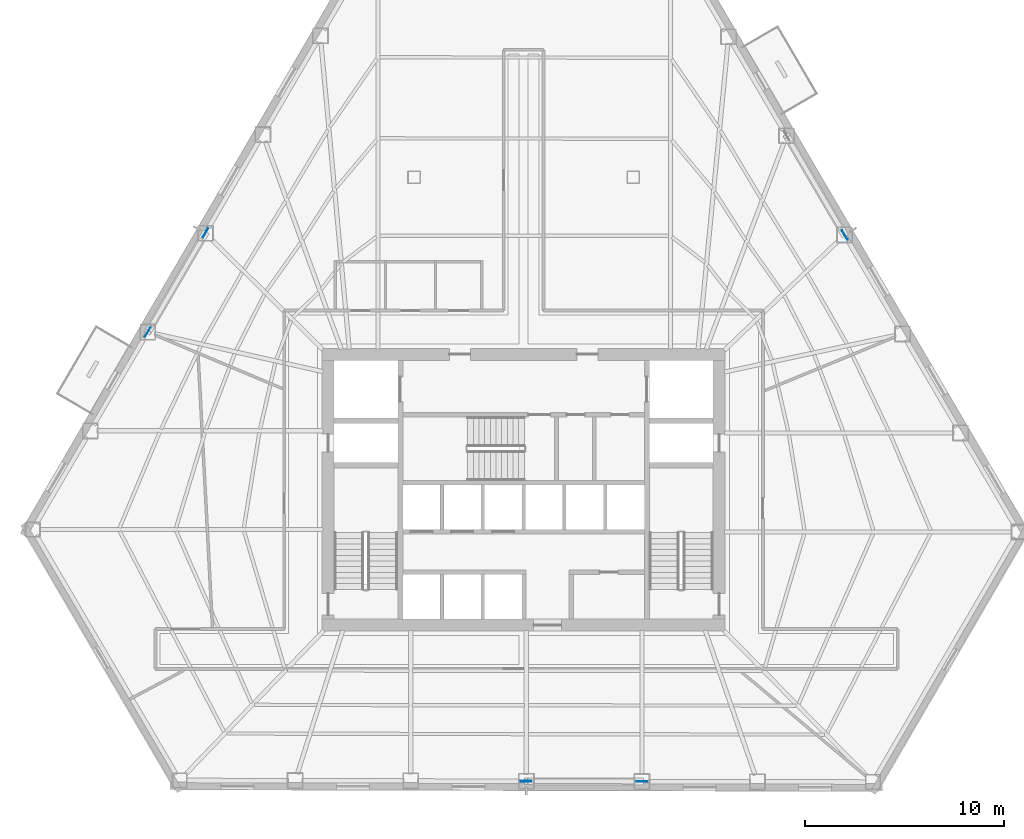
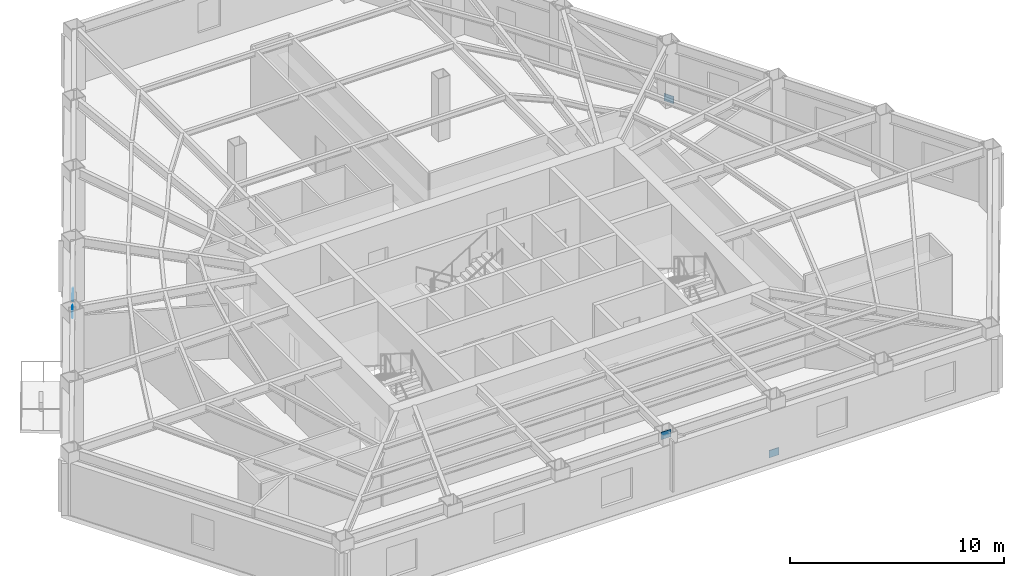
# One storey, part 4 of 11: 5 plates.
"""IFC4 building model written with IfcOpenShell, lengths in metres."""

import ifcopenshell
import ifcopenshell.guid

model = None  # the IFC model being written
_history = None  # IfcOwnerHistory: only IFC2X3 demands one
_inside = {}  # id of a spatial element -> (the spatial element, [elements in it])
_under = {}  # id of a project, library or spatial element -> (it, [spatial elements below it])
_declared = {}  # id of a project -> (the project, [libraries it declares])
_typed = {}  # id of a type object -> (the type object, [elements of that type])
_made_of = {}  # id of a material, layer set ... -> (it, [elements and type objects made of it])


def new_model(schema):
    """Start an empty IFC model of exactly this schema.

    Asked for "IFC4X3", IfcOpenShell would pick the latest addendum, in which some entities
    have other attributes; the version numbers below select the first issue.
    IFC2X3 requires an IfcOwnerHistory on every rooted entity: one is made here for all.
    """
    global model, _history
    if schema == "IFC4X3":
        model = ifcopenshell.file(schema_version=(4, 3, 0, 0))
    else:
        model = ifcopenshell.file(schema=schema)
    _inside.clear()
    _under.clear()
    _declared.clear()
    _typed.clear()
    _made_of.clear()
    _history = None
    if model.schema == "IFC2X3":
        org = make("IfcOrganization", Name="unknown")
        user = make(
            "IfcPersonAndOrganization",
            ThePerson=make("IfcPerson", FamilyName="unknown"),
            TheOrganization=org,
        )
        app = make(
            "IfcApplication",
            ApplicationDeveloper=org,
            Version="unknown",
            ApplicationFullName="unknown",
            ApplicationIdentifier="unknown",
        )
        _history = make(
            "IfcOwnerHistory",
            OwningUser=user,
            OwningApplication=app,
            ChangeAction="ADDED",
            CreationDate=0,
        )
    return model


def make(cls, **values):
    """One entity of the class cls with the attributes given. An attribute that is None is left unset."""
    return model.create_entity(
        cls, **{name: value for name, value in values.items() if value is not None}
    )


def rooted(cls, **values):
    """An entity with a GlobalId (a new one), such as an element, a storey or a relation."""
    return make(cls, GlobalId=ifcopenshell.guid.new(), OwnerHistory=_history, **values)


def si_unit(unit_type, name, prefix=None):
    """IfcSIUnit, for example si_unit("LENGTHUNIT", "METRE", prefix="MILLI")."""
    return make("IfcSIUnit", UnitType=unit_type, Prefix=prefix, Name=name)


def assignment(units):
    """IfcUnitAssignment: the units of a project."""
    return None if units is None else make("IfcUnitAssignment", Units=units)


def point(xyz):
    """IfcCartesianPoint."""
    return None if xyz is None else make("IfcCartesianPoint", Coordinates=xyz)


def direction(xyz):
    """IfcDirection."""
    return None if xyz is None else make("IfcDirection", DirectionRatios=xyz)


def frame(location, z_axis=None, x_axis=None):
    """IfcAxis2Placement3D, a coordinate frame: its origin and axes. An axis left out is left unset."""
    return make(
        "IfcAxis2Placement3D",
        Location=point(location),
        Axis=direction(z_axis),
        RefDirection=direction(x_axis),
    )


def frame_2d(location, x_axis=None):
    """IfcAxis2Placement2D, a coordinate frame in the plane: its origin and x axis."""
    return make(
        "IfcAxis2Placement2D", Location=point(location), RefDirection=direction(x_axis)
    )


def origin():
    """The frame at (0, 0, 0) with its axes left unset."""
    return frame((0.0, 0.0, 0.0))


def origin_2d():
    """The frame at (0, 0) in the plane with its x axis left unset."""
    return frame_2d((0.0, 0.0))


def place(relative_to, where):
    """IfcLocalPlacement: puts the frame where relative to a parent placement (None: the world)."""
    return make(
        "IfcLocalPlacement", PlacementRelTo=relative_to, RelativePlacement=where
    )


def context(
    kind, dimensions, precision=None, world=None, true_north=None, identifier=None
):
    """IfcGeometricRepresentationContext, for example the 3D "Model" context."""
    return make(
        "IfcGeometricRepresentationContext",
        ContextIdentifier=identifier,
        ContextType=kind,
        CoordinateSpaceDimension=dimensions,
        Precision=precision,
        WorldCoordinateSystem=world,
        TrueNorth=true_north,
    )


def subcontext(parent, identifier, kind, view, scale=None):
    """IfcGeometricRepresentationSubContext, for example "Body" below "Model"."""
    return make(
        "IfcGeometricRepresentationSubContext",
        ContextIdentifier=identifier,
        ContextType=kind,
        ParentContext=parent,
        TargetScale=scale,
        TargetView=view,
    )


def project(units=None, contexts=None):
    """IfcProject with its units and contexts."""
    return rooted(
        "IfcProject",
        Name="project",
        RepresentationContexts=contexts,
        UnitsInContext=assignment(units),
    )


def spatial(cls, under=None, at=None, **own):
    """A site, building, storey or space (cls), placed at a placement, below another one or the project."""
    s = rooted(cls, ObjectPlacement=at, **own)
    if under is not None:
        _under.setdefault(under.id(), (under, []))[1].append(s)
    return s


def profile(cls, at=None, kind="AREA", **sizes):
    """A parametric profile (cls). Its sizes go by their IFC names, for example OverallWidth=200.0."""
    return make(cls, ProfileType=kind, Position=at, **sizes)


def rectangle(**sizes):
    """IfcRectangleProfileDef."""
    return profile("IfcRectangleProfileDef", **sizes)


def extrude(swept, where, along, depth):
    """IfcExtrudedAreaSolid: the profile swept, set in the frame where, extruded along a direction by depth."""
    return make(
        "IfcExtrudedAreaSolid",
        SweptArea=swept,
        Position=where,
        ExtrudedDirection=direction(along),
        Depth=depth,
    )


def shape(context_of_items, identifier, shape_type, items):
    """IfcShapeRepresentation: the items that make up one representation, for example the "Body"."""
    return make(
        "IfcShapeRepresentation",
        ContextOfItems=context_of_items,
        RepresentationIdentifier=identifier,
        RepresentationType=shape_type,
        Items=items,
    )


def material(Name=None, Category=None):
    """IfcMaterial."""
    return make("IfcMaterial", Name=Name, Category=Category)


def layer(
    of_material, thickness, ventilated=None, Name=None, Category=None, Priority=None
):
    """IfcMaterialLayer: one layer of a wall or slab, of a material (None: an air gap)."""
    return make(
        "IfcMaterialLayer",
        Material=of_material,
        LayerThickness=thickness,
        IsVentilated=ventilated,
        Name=Name,
        Category=Category,
        Priority=Priority,
    )


def layer_set(layers, Name=None):
    """IfcMaterialLayerSet."""
    return make("IfcMaterialLayerSet", MaterialLayers=layers, LayerSetName=Name)


def made_of(thing, what):
    """Note that an element or type object is made of a material, layer set ...; save() writes the relation."""
    if what is not None:
        _made_of.setdefault(what.id(), (what, []))[1].append(thing)
    return thing


def type_object(cls, material=None, **own):
    """A type object (cls), such as IfcWallType, which elements share."""
    return made_of(rooted(cls, **own), material)


def element(
    cls,
    number,
    at=None,
    inside=None,
    cuts=None,
    type_object=None,
    material=None,
    context=None,
    identifier="Body",
    shape_type=None,
    held_by="IfcProductDefinitionShape",
    body=None,
    shapes=None,
    **own,
):
    """One element of the class cls, such as IfcWall. Its Tag is "e" and its number.

    at: its placement. inside: the storey or other place that contains it. cuts: it is an
    opening in that element (IfcRelVoidsElement). A single representation is given by context,
    identifier, shape_type and body (its items); several are given by shapes. held_by: the class
    of the entity that holds the representations. save() writes the other relations.
    """
    e = rooted(cls, Tag="e%d" % number, ObjectPlacement=at, **own)
    if body is not None:
        shapes = [shape(context, identifier, shape_type, body)]
    if shapes is not None:
        e.Representation = make(held_by, Representations=shapes)
    if inside is not None:
        _inside.setdefault(inside.id(), (inside, []))[1].append(e)
    if cuts is not None:
        rooted(
            "IfcRelVoidsElement", RelatingBuildingElement=cuts, RelatedOpeningElement=e
        )
    if type_object is not None:
        _typed.setdefault(type_object.id(), (type_object, []))[1].append(e)
    return made_of(e, material)


def aggregate(whole, parts):
    """IfcRelAggregates: a whole, such as a stair, and the parts it consists of."""
    return rooted("IfcRelAggregates", RelatingObject=whole, RelatedObjects=parts)


def save(model, path):
    """Write the relations noted so far, then the file.

    IfcRelAggregates (storeys below a building ...), IfcRelContainedInSpatialStructure (elements
    in a storey), IfcRelDefinesByType, IfcRelAssociatesMaterial and IfcRelDeclares: one each for
    every whole, place, type object, material and project.
    """
    for whole, parts in _under.values():
        aggregate(whole, parts)
    for where, things in _inside.values():
        rooted(
            "IfcRelContainedInSpatialStructure",
            RelatedElements=things,
            RelatingStructure=where,
        )
    for kind, things in _typed.values():
        rooted("IfcRelDefinesByType", RelatedObjects=things, RelatingType=kind)
    for what, things in _made_of.values():
        rooted("IfcRelAssociatesMaterial", RelatedObjects=things, RelatingMaterial=what)
    for by, libraries in _declared.values():
        rooted("IfcRelDeclares", RelatingContext=by, RelatedDefinitions=libraries)
    model.write(path)


model = new_model("IFC4")

# Units and contexts
model_context = context("Model", 3, precision=1e-05, world=origin(), true_north=direction((0.0, 1.0)))
body_context = subcontext(model_context, "Body", "Model", "MODEL_VIEW")
ifc_project = project(units=[si_unit("LENGTHUNIT", "METRE"), si_unit("AREAUNIT", "SQUARE_METRE"), si_unit("VOLUMEUNIT", "CUBIC_METRE"), si_unit("PLANEANGLEUNIT", "RADIAN"), si_unit("MASSUNIT", "GRAM", prefix="KILO")], contexts=[model_context])

# Site, building, storey
site_placement = place(None, origin())
site = spatial("IfcSite", under=ifc_project, at=site_placement, CompositionType="ELEMENT")
building_placement = place(site_placement, origin())
building = spatial("IfcBuilding", under=site, at=building_placement, Name="Kavelnor Concourse Tower", CompositionType="ELEMENT")
storey_placement = place(building_placement, frame((0.0, 0.0, 56.050048828125)))
storey = spatial("IfcBuildingStorey", under=building, at=storey_placement, Name="L14", CompositionType="ELEMENT", Elevation=56.050048828125)

# Plates
ifc_material = material(Name="Steel Grade 350", Category="steel")
ifc_layer = layer(ifc_material, 0.031982421875, Name="Steel Grade 350")
ifc_layer_set = layer_set([ifc_layer], Name="Steel Grade 350")
plate_type = type_object("IfcPlateType", Name="PL-GUSSET-TUBE-Z1", PredefinedType="USERDEFINED", material=ifc_layer_set)
for number, where, z_axis, x_axis, name in (
    (1, (22.018310546875, 28.993896484375, 0.010009765625), (0.0, 0.0, 1.0), (-0.503321604797, -0.864099162217, 0.0), "L14 Tube Brace Gusset GP3 F0-B3 End Gusset A"),
    (2, (19.117431640625, 24.0126953125, 3.073974609375), (0.0, 0.0, 1.0), (-0.503321604797, -0.864099162217, 0.0), "L14 Tube Brace Gusset GP3 F0-B3 End Gusset B"),
    (3, (43.9501953125, 1.447998046875, 0.010009765625), (0.0, 0.0, 1.0), (-0.999997425984, 0.002268926081, 0.0), "L14 Tube Brace Gusset GP3 F1-B3 End Gusset A"),
    (4, (38.12255859375, 1.46142578125, 3.073974609375), (0.0, 0.0, 1.0), (-0.999997425984, 0.002268926081, 0.0), "L14 Tube Brace Gusset GP3 F1-B3 End Gusset B"),
    (5, (54.128173828125, 28.895263671875, 0.010009765625), (0.0, 0.0, 1.0), (-0.505280886365, 0.862954938496, 0.0), "L14 Tube Brace Gusset GP3 F2-B3 End Gusset A"),
):
    element("IfcPlate", number, at=place(storey_placement, frame(where, z_axis=z_axis, x_axis=x_axis)), inside=storey, type_object=plate_type, Name=name, ObjectType="GUSSET_PLATE", PredefinedType="USERDEFINED", context=body_context, shape_type="SweptSolid", body=[
        extrude(rectangle(XDim=0.52001953125, YDim=0.031982421875, at=origin_2d()), origin(), (0.0, 0.0, 1.0), 0.419921875),
    ])

save(model, "model.ifc")
